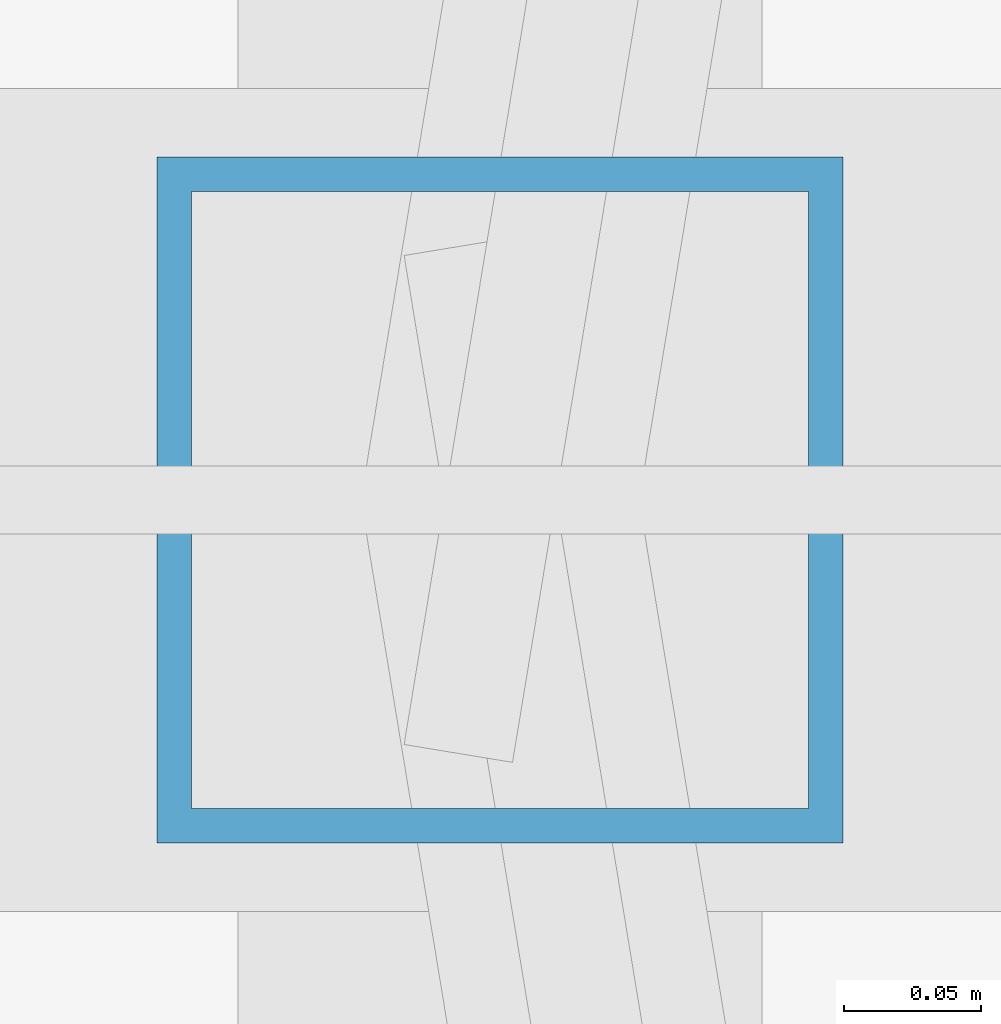
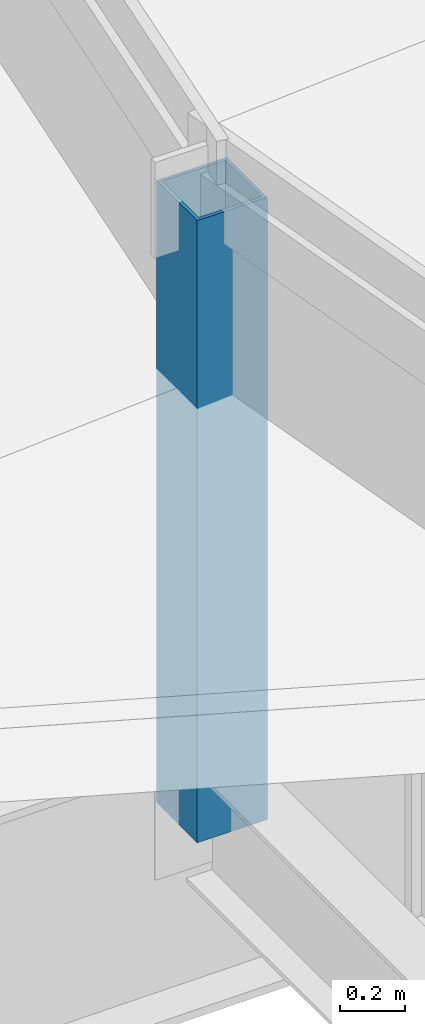
# One storey, part 7 of 184: 1 member.
"""IFC4 building model written with IfcOpenShell, lengths in metres."""

from ifc_helpers import new_model, si_unit, direction, frame, origin, origin_2d, place, context, subcontext, project, spatial, hollow_rectangle, extrude, material, material_profile, profile_set, type_object, element, save


model = new_model("IFC4")

# Units and contexts
model_context = context("Model", 3, precision=1e-05, world=origin(), true_north=direction((0.0, 1.0)))
body_context = subcontext(model_context, "Body", "Model", "MODEL_VIEW")
ifc_project = project(units=[si_unit("LENGTHUNIT", "METRE"), si_unit("AREAUNIT", "SQUARE_METRE"), si_unit("VOLUMEUNIT", "CUBIC_METRE"), si_unit("PLANEANGLEUNIT", "RADIAN"), si_unit("MASSUNIT", "GRAM", prefix="KILO")], contexts=[model_context])

# Site, building, storey
site_placement = place(None, origin())
site = spatial("IfcSite", under=ifc_project, at=site_placement, CompositionType="ELEMENT")
building_placement = place(site_placement, origin())
building = spatial("IfcBuilding", under=site, at=building_placement, Name="Kalgoora Escarpment Arena", CompositionType="ELEMENT")
storey_placement = place(building_placement, frame((0.0, 0.0, 27.60009765625)))
storey = spatial("IfcBuildingStorey", under=building, at=storey_placement, Name="Roof Level", CompositionType="ELEMENT", Elevation=27.60009765625)

# Member
ifc_material = material(Name="Structural steel C450 (450 MPa)", Category="steel")
ifc_material_profile = material_profile(ifc_material, hollow_rectangle(XDim=0.25, YDim=0.25, WallThickness=0.012451171875, at=origin_2d()))
ifc_profile_set = profile_set([ifc_material_profile], Name="Structural steel C450 (450 MPa)")
member_type = type_object("IfcMemberType", Name="MEM-PETAL-POST", PredefinedType="POST", material=ifc_profile_set)
member_placement = place(storey_placement, frame((37.39990234375, 64.0, -1.080078125), z_axis=(0.0, 0.0, 1.0), x_axis=(1.0, 0.0, 0.0)))
element("IfcMember", 1, at=member_placement, inside=storey, type_object=member_type, Name="Petal RP2 vertical support post S13", PredefinedType="POST", context=body_context, shape_type="SweptSolid", body=[
    extrude(hollow_rectangle(XDim=0.25, YDim=0.25, WallThickness=0.012451171875, at=origin_2d()), origin(), (0.0, 0.0, 1.0), 2.344970703125),
])

save(model, "model.ifc")
